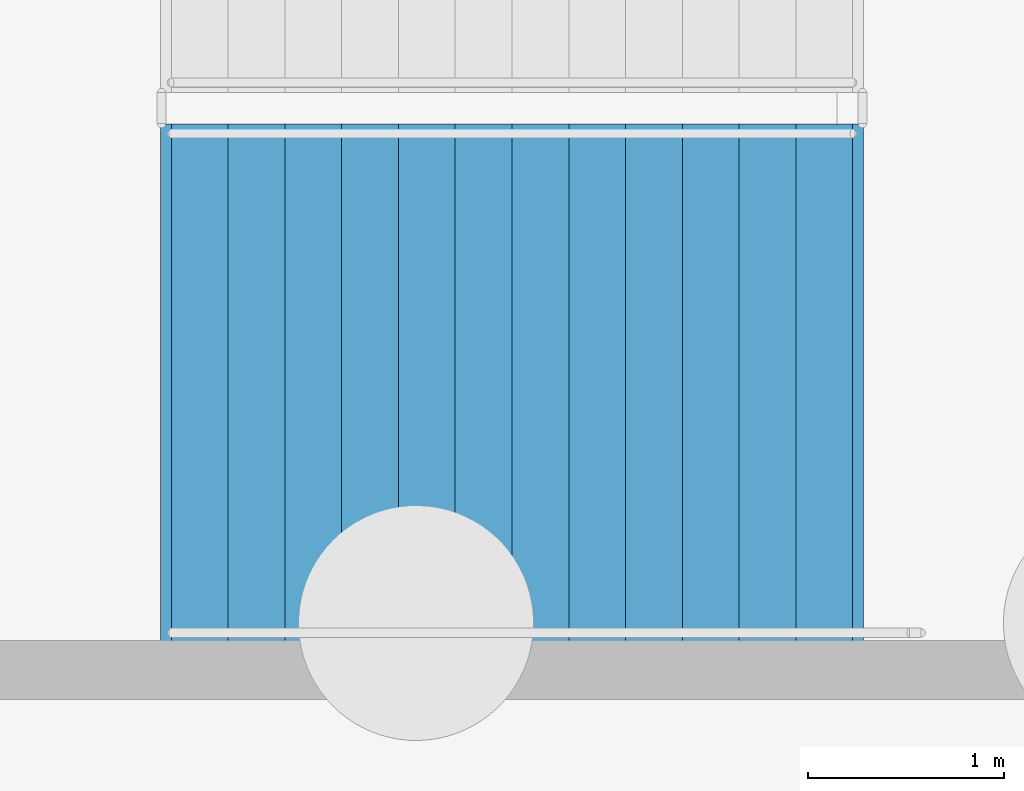
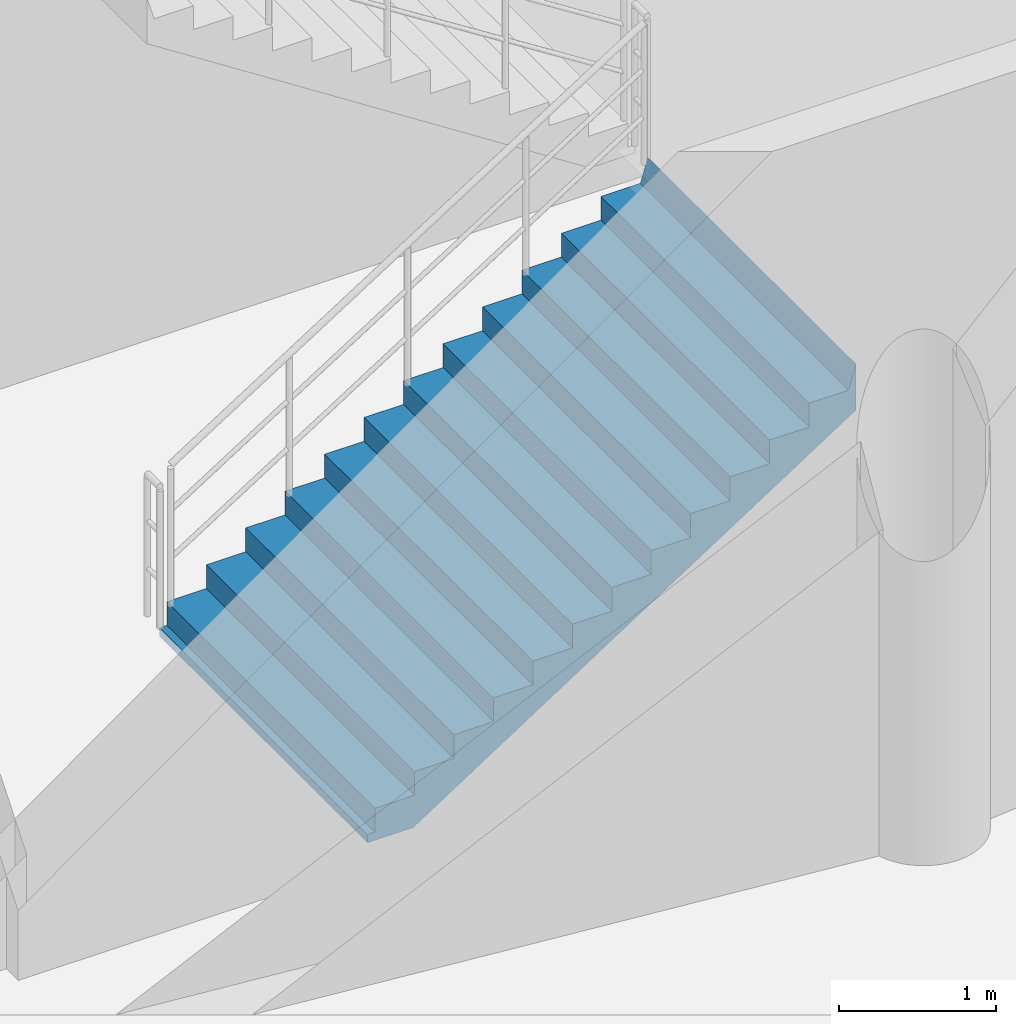
# One storey, part 46 of 68: 1 stair flight, 1 element without a shape of its own.
"""IFC4 building model written with IfcOpenShell, lengths in metres."""

from ifc_helpers import new_model, si_unit, direction, frame, origin, place, context, subcontext, project, spatial, polyline, outline, extrude, material, type_object, element, aggregate, save


model = new_model("IFC4")

# Units and contexts
model_context = context("Model", 3, precision=1e-05, world=origin(), true_north=direction((0.0, 1.0)))
body_context = subcontext(model_context, "Body", "Model", "MODEL_VIEW")
ifc_project = project(units=[si_unit("LENGTHUNIT", "METRE"), si_unit("AREAUNIT", "SQUARE_METRE"), si_unit("VOLUMEUNIT", "CUBIC_METRE"), si_unit("PLANEANGLEUNIT", "RADIAN"), si_unit("MASSUNIT", "GRAM", prefix="KILO")], contexts=[model_context])

# Site, building, storey
site_placement = place(None, origin())
site = spatial("IfcSite", under=ifc_project, at=site_placement, CompositionType="ELEMENT")
building_placement = place(site_placement, origin())
building = spatial("IfcBuilding", under=site, at=building_placement, Name="Cinderbank Siding Concert Hall", CompositionType="ELEMENT")
storey_placement = place(building_placement, frame((0.0, 0.0, -4.800048828125)))
storey = spatial("IfcBuildingStorey", under=building, at=storey_placement, Name="B1", CompositionType="ELEMENT", Elevation=-4.800048828125)

# Stair, stair flight
ifc_material = material(Name="Reinforced concrete AS 3600 N50 (50 MPa)", Category="concrete")
stair_type = type_object("IfcStairType", Name="STR-A Dogleg Exit Stair 2650mm", PredefinedType="HALF_TURN_STAIR", material=ifc_material)
stair_placement = place(storey_placement, origin())
stair = element("IfcStair", 1, at=stair_placement, inside=storey, type_object=stair_type, Name="B1 Fire-isolated Exit Stair ST-02", PredefinedType="HALF_TURN_STAIR")
stair_flight_type = type_object("IfcStairFlightType", Name="SFL-A Concrete Stair Flight 2650mm", PredefinedType="STRAIGHT", material=ifc_material)
stair_flight_placement = place(storey_placement, frame((118.949951171875, 25.02490234375, 0.0), z_axis=(0.0, 0.0, 1.0), x_axis=(1.0, 0.0, 0.0)))
stair_flight = element("IfcStairFlight", 2, at=stair_flight_placement, type_object=stair_flight_type, Name="ST-02 flight 1", NumberOfRisers=13, NumberOfTreads=12, PredefinedType="STRAIGHT", RiserHeight=0.184615385, TreadLength=0.29, context=body_context, shape_type="SweptSolid", body=[
    extrude(outline(polyline([(0.0, 0.0), (0.0, 0.1845703125), (0.2900390625, 0.1845703125), (0.2900390625, 0.369140625), (0.580078125, 0.369140625), (0.580078125, 0.553955078125), (0.8701171875, 0.553955078125), (0.8701171875, 0.738525390625), (1.159912109375, 0.738525390625), (1.159912109375, 0.923095703125), (1.449951171875, 0.923095703125), (1.449951171875, 1.107666015625), (1.739990234375, 1.107666015625), (1.739990234375, 1.292236328125), (2.030029296875, 1.292236328125), (2.030029296875, 1.476806640625), (2.320068359375, 1.476806640625), (2.320068359375, 1.66162109375), (2.610107421875, 1.66162109375), (2.610107421875, 1.84619140625), (2.89990234375, 1.84619140625), (2.89990234375, 2.03076171875), (3.18994140625, 2.03076171875), (3.18994140625, 2.21533203125), (3.47998046875, 2.21533203125), (3.534912109375, 2.39990234375), (3.534912109375, 2.03759765625), (3.53466796875, 2.037841796875), (3.53466796875, 2.0380859375), (3.53466796875, 2.038330078125), (3.53466796875, 2.03857421875), (3.53466796875, 2.038818359375), (3.53466796875, 2.0390625), (3.53466796875, 2.039306640625), (3.53466796875, 2.03955078125), (3.53466796875, 2.039794921875), (3.53466796875, 2.0400390625), (3.53466796875, 2.040283203125), (3.53466796875, 2.04052734375), (3.534423828125, 2.04052734375), (3.534423828125, 2.040283203125), (3.534423828125, 2.0400390625), (3.534423828125, 2.039794921875), (3.534423828125, 2.03955078125), (3.534423828125, 2.039306640625), (3.534423828125, 2.0390625), (3.534423828125, 2.038818359375), (3.534423828125, 2.03857421875), (3.534423828125, 2.038330078125), (3.534423828125, 2.0380859375), (3.534423828125, 2.037841796875), (3.534423828125, 2.03759765625), (3.5341796875, 2.037841796875), (3.5341796875, 2.0380859375), (3.5341796875, 2.038330078125), (3.5341796875, 2.03857421875), (3.5341796875, 2.038818359375), (3.5341796875, 2.0390625), (3.5341796875, 2.039306640625), (3.5341796875, 2.03955078125), (3.5341796875, 2.039794921875), (3.5341796875, 2.0400390625), (3.5341796875, 2.040283203125), (3.5341796875, 2.04052734375), (3.533935546875, 2.04052734375), (3.533935546875, 2.040283203125), (3.533935546875, 2.0400390625), (3.533935546875, 2.039794921875), (3.533935546875, 2.03955078125), (3.533935546875, 2.039306640625), (3.533935546875, 2.0390625), (3.533935546875, 2.038818359375), (3.533935546875, 2.03857421875), (3.533935546875, 2.038330078125), (3.533935546875, 2.0380859375), (3.533935546875, 2.037841796875), (3.533935546875, 2.03759765625), (3.53369140625, 2.037841796875), (3.53369140625, 2.0380859375), (3.53369140625, 2.038330078125), (3.53369140625, 2.03857421875), (3.53369140625, 2.038818359375), (3.53369140625, 2.0390625), (3.53369140625, 2.039306640625), (3.53369140625, 2.03955078125), (3.53369140625, 2.039794921875), (3.53369140625, 2.0400390625), (3.53369140625, 2.040283203125), (3.53369140625, 2.04052734375), (3.533447265625, 2.04052734375), (3.533447265625, 2.040283203125), (3.533447265625, 2.0400390625), (3.533447265625, 2.039794921875), (3.533447265625, 2.03955078125), (3.533447265625, 2.039306640625), (3.533447265625, 2.0390625), (3.533447265625, 2.038818359375), (3.533447265625, 2.03857421875), (3.533447265625, 2.038330078125), (3.533447265625, 2.0380859375), (3.533447265625, 2.037841796875), (3.533447265625, 2.03759765625), (3.533203125, 2.037841796875), (3.533203125, 2.0380859375), (3.533203125, 2.038330078125), (3.533203125, 2.03857421875), (3.533203125, 2.038818359375), (3.533203125, 2.0390625), (3.533203125, 2.039306640625), (3.533203125, 2.03955078125), (3.533203125, 2.039794921875), (3.533203125, 2.0400390625), (3.533203125, 2.040283203125), (3.533203125, 2.04052734375), (3.532958984375, 2.04052734375), (3.532958984375, 2.040283203125), (3.532958984375, 2.0400390625), (3.532958984375, 2.039794921875), (3.532958984375, 2.03955078125), (3.532958984375, 2.039306640625), (3.532958984375, 2.0390625), (3.532958984375, 2.038818359375), (3.532958984375, 2.03857421875), (3.532958984375, 2.038330078125), (3.532958984375, 2.0380859375), (3.532958984375, 2.037841796875), (3.532958984375, 2.03759765625), (3.53271484375, 2.037841796875), (3.53271484375, 2.0380859375), (3.53271484375, 2.038330078125), (3.53271484375, 2.03857421875), (3.53271484375, 2.038818359375), (3.53271484375, 2.0390625), (3.53271484375, 2.039306640625), (3.53271484375, 2.03955078125), (3.53271484375, 2.039794921875), (3.53271484375, 2.0400390625), (3.53271484375, 2.040283203125), (3.53271484375, 2.04052734375), (3.532470703125, 2.04052734375), (3.532470703125, 2.040283203125), (3.532470703125, 2.0400390625), (3.532470703125, 2.039794921875), (3.532470703125, 2.03955078125), (3.532470703125, 2.039306640625), (3.532470703125, 2.0390625), (3.532470703125, 2.038818359375), (3.532470703125, 2.03857421875), (3.532470703125, 2.038330078125), (3.532470703125, 2.0380859375), (3.532470703125, 2.037841796875), (3.532470703125, 2.03759765625), (3.5322265625, 2.037841796875), (3.5322265625, 2.0380859375), (3.5322265625, 2.038330078125), (3.5322265625, 2.03857421875), (3.5322265625, 2.038818359375), (3.5322265625, 2.0390625), (3.5322265625, 2.039306640625), (3.5322265625, 2.03955078125), (3.5322265625, 2.039794921875), (3.5322265625, 2.0400390625), (3.5322265625, 2.040283203125), (3.5322265625, 2.04052734375), (3.531982421875, 2.04052734375), (3.531982421875, 2.040283203125), (3.531982421875, 2.0400390625), (3.531982421875, 2.039794921875), (3.531982421875, 2.03955078125), (3.531982421875, 2.039306640625), (3.531982421875, 2.0390625), (3.531982421875, 2.038818359375), (3.531982421875, 2.03857421875), (3.531982421875, 2.038330078125), (3.531982421875, 2.0380859375), (3.531982421875, 2.037841796875), (3.531982421875, 2.03759765625), (3.53173828125, 2.037841796875), (3.53173828125, 2.0380859375), (3.53173828125, 2.038330078125), (3.53173828125, 2.03857421875), (3.53173828125, 2.038818359375), (3.53173828125, 2.0390625), (3.53173828125, 2.039306640625), (3.53173828125, 2.03955078125), (3.53173828125, 2.039794921875), (3.53173828125, 2.0400390625), (3.53173828125, 2.040283203125), (3.53173828125, 2.04052734375), (3.531494140625, 2.04052734375), (3.531494140625, 2.040283203125), (3.531494140625, 2.0400390625), (3.531494140625, 2.039794921875), (3.531494140625, 2.03955078125), (3.531494140625, 2.039306640625), (3.531494140625, 2.0390625), (3.531494140625, 2.038818359375), (3.531494140625, 2.03857421875), (3.531494140625, 2.038330078125), (3.531494140625, 2.0380859375), (3.531494140625, 2.037841796875), (3.531494140625, 2.03759765625), (3.53125, 2.037841796875), (3.53125, 2.0380859375), (3.53125, 2.038330078125), (3.53125, 2.03857421875), (3.53125, 2.038818359375), (3.53125, 2.0390625), (3.53125, 2.039306640625), (3.53125, 2.03955078125), (3.53125, 2.039794921875), (3.53125, 2.0400390625), (3.53125, 2.040283203125), (3.53125, 2.04052734375), (3.531005859375, 2.04052734375), (3.531005859375, 2.040283203125), (3.531005859375, 2.0400390625), (3.531005859375, 2.039794921875), (3.531005859375, 2.03955078125), (3.531005859375, 2.039306640625), (3.531005859375, 2.0390625), (3.531005859375, 2.038818359375), (3.531005859375, 2.03857421875), (3.531005859375, 2.038330078125), (3.531005859375, 2.0380859375), (3.531005859375, 2.037841796875), (3.531005859375, 2.03759765625), (3.53076171875, 2.037841796875), (3.53076171875, 2.0380859375), (3.53076171875, 2.038330078125), (3.53076171875, 2.03857421875), (3.53076171875, 2.038818359375), (3.53076171875, 2.0390625), (3.53076171875, 2.039306640625), (3.53076171875, 2.03955078125), (3.53076171875, 2.039794921875), (3.53076171875, 2.0400390625), (3.53076171875, 2.040283203125), (3.53076171875, 2.04052734375), (3.530517578125, 2.04052734375), (3.530517578125, 2.040283203125), (3.530517578125, 2.0400390625), (3.530517578125, 2.039794921875), (3.530517578125, 2.03955078125), (3.530517578125, 2.039306640625), (3.530517578125, 2.0390625), (3.530517578125, 2.038818359375), (3.530517578125, 2.03857421875), (3.530517578125, 2.038330078125), (3.530517578125, 2.0380859375), (3.530517578125, 2.037841796875), (3.530517578125, 2.03759765625), (3.5302734375, 2.037841796875), (3.5302734375, 2.0380859375), (3.5302734375, 2.038330078125), (3.5302734375, 2.03857421875), (3.5302734375, 2.038818359375), (3.5302734375, 2.0390625), (3.5302734375, 2.039306640625), (3.5302734375, 2.03955078125), (3.5302734375, 2.039794921875), (3.5302734375, 2.0400390625), (3.5302734375, 2.040283203125), (3.5302734375, 2.04052734375), (3.530029296875, 2.04052734375), (3.530029296875, 2.040283203125), (3.530029296875, 2.0400390625), (3.530029296875, 2.039794921875), (3.530029296875, 2.03955078125), (3.530029296875, 2.039306640625), (3.530029296875, 2.0390625), (3.530029296875, 2.038818359375), (3.530029296875, 2.03857421875), (3.530029296875, 2.038330078125), (3.530029296875, 2.0380859375), (3.530029296875, 2.037841796875), (3.530029296875, 2.03759765625), (3.52978515625, 2.037841796875), (3.52978515625, 2.0380859375), (3.52978515625, 2.038330078125), (3.52978515625, 2.03857421875), (3.52978515625, 2.038818359375), (3.52978515625, 2.0390625), (3.52978515625, 2.039306640625), (3.52978515625, 2.03955078125), (3.52978515625, 2.039794921875), (3.52978515625, 2.0400390625), (3.52978515625, 2.040283203125), (3.52978515625, 2.04052734375), (3.529541015625, 2.04052734375), (3.529541015625, 2.040283203125), (3.529541015625, 2.0400390625), (3.529541015625, 2.039794921875), (3.529541015625, 2.03955078125), (3.529541015625, 2.039306640625), (3.529541015625, 2.0390625), (3.529541015625, 2.038818359375), (3.529541015625, 2.03857421875), (3.529541015625, 2.038330078125), (3.529541015625, 2.0380859375), (3.529541015625, 2.037841796875), (3.529541015625, 2.03759765625), (3.529296875, 2.037841796875), (3.529296875, 2.0380859375), (3.529296875, 2.038330078125), (3.529296875, 2.03857421875), (3.529296875, 2.038818359375), (3.529296875, 2.0390625), (3.529296875, 2.039306640625), (3.529296875, 2.03955078125), (3.529296875, 2.039794921875), (3.529296875, 2.0400390625), (3.529296875, 2.040283203125), (3.529296875, 2.04052734375), (3.529052734375, 2.04052734375), (3.529052734375, 2.040283203125), (3.529052734375, 2.0400390625), (3.529052734375, 2.039794921875), (3.529052734375, 2.03955078125), (3.529052734375, 2.039306640625), (3.529052734375, 2.0390625), (3.529052734375, 2.038818359375), (3.529052734375, 2.03857421875), (3.529052734375, 2.038330078125), (3.529052734375, 2.0380859375), (3.529052734375, 2.037841796875), (3.529052734375, 2.03759765625), (3.52880859375, 2.037841796875), (3.52880859375, 2.0380859375), (3.52880859375, 2.038330078125), (3.52880859375, 2.03857421875), (3.52880859375, 2.038818359375), (3.52880859375, 2.0390625), (3.52880859375, 2.039306640625), (3.52880859375, 2.03955078125), (3.52880859375, 2.039794921875), (3.52880859375, 2.0400390625), (3.52880859375, 2.040283203125), (3.52880859375, 2.04052734375), (3.528564453125, 2.04052734375), (3.528564453125, 2.040283203125), (3.528564453125, 2.0400390625), (3.528564453125, 2.039794921875), (3.528564453125, 2.03955078125), (3.528564453125, 2.039306640625), (3.528564453125, 2.0390625), (3.528564453125, 2.038818359375), (3.528564453125, 2.03857421875), (3.528564453125, 2.038330078125), (3.528564453125, 2.0380859375), (3.528564453125, 2.037841796875), (3.528564453125, 2.03759765625), (0.279052734375, -0.06396484375), (-0.048583984375, -0.063720703125), (-0.048583984375, -0.0634765625), (-0.048583984375, -0.063232421875), (-0.048583984375, -0.06298828125), (-0.048583984375, -0.062744140625), (-0.048583984375, -0.0625), (-0.048583984375, -0.062255859375), (-0.048583984375, -0.06201171875), (-0.048583984375, -0.061767578125), (-0.048583984375, -0.0615234375), (-0.048583984375, -0.061279296875), (-0.048583984375, -0.06103515625), (-0.048828125, -0.06103515625), (-0.048828125, -0.061279296875), (-0.048828125, -0.0615234375), (-0.048828125, -0.061767578125), (-0.048828125, -0.06201171875), (-0.048828125, -0.062255859375), (-0.048828125, -0.0625), (-0.048828125, -0.062744140625), (-0.048828125, -0.06298828125), (-0.048828125, -0.063232421875), (-0.048828125, -0.0634765625), (-0.048828125, -0.063720703125), (-0.048828125, -0.06396484375), (-0.049072265625, -0.063720703125), (-0.049072265625, -0.0634765625), (-0.049072265625, -0.063232421875), (-0.049072265625, -0.06298828125), (-0.049072265625, -0.062744140625), (-0.049072265625, -0.0625), (-0.049072265625, -0.062255859375), (-0.049072265625, -0.06201171875), (-0.049072265625, -0.061767578125), (-0.049072265625, -0.0615234375), (-0.049072265625, -0.061279296875), (-0.049072265625, -0.06103515625), (-0.04931640625, -0.06103515625), (-0.04931640625, -0.061279296875), (-0.04931640625, -0.0615234375), (-0.04931640625, -0.061767578125), (-0.04931640625, -0.06201171875), (-0.04931640625, -0.062255859375), (-0.04931640625, -0.0625), (-0.04931640625, -0.062744140625), (-0.04931640625, -0.06298828125), (-0.04931640625, -0.063232421875), (-0.04931640625, -0.0634765625), (-0.04931640625, -0.063720703125), (-0.04931640625, -0.06396484375), (-0.049560546875, -0.063720703125), (-0.049560546875, -0.0634765625), (-0.049560546875, -0.063232421875), (-0.049560546875, -0.06298828125), (-0.049560546875, -0.062744140625), (-0.049560546875, -0.0625), (-0.049560546875, -0.062255859375), (-0.049560546875, -0.06201171875), (-0.049560546875, -0.061767578125), (-0.049560546875, -0.0615234375), (-0.049560546875, -0.061279296875), (-0.049560546875, -0.06103515625), (-0.0498046875, -0.06103515625), (-0.0498046875, -0.061279296875), (-0.0498046875, -0.0615234375), (-0.0498046875, -0.061767578125), (-0.0498046875, -0.06201171875), (-0.0498046875, -0.062255859375), (-0.0498046875, -0.0625), (-0.0498046875, -0.062744140625), (-0.0498046875, -0.06298828125), (-0.0498046875, -0.063232421875), (-0.0498046875, -0.0634765625), (-0.0498046875, -0.063720703125), (-0.0498046875, -0.06396484375), (-0.050048828125, -0.063720703125), (-0.050048828125, -0.0634765625), (-0.050048828125, -0.063232421875), (-0.050048828125, -0.06298828125), (-0.050048828125, -0.062744140625), (-0.050048828125, -0.0625), (-0.050048828125, -0.062255859375), (-0.050048828125, -0.06201171875), (-0.050048828125, -0.061767578125), (-0.050048828125, -0.0615234375), (-0.050048828125, -0.061279296875), (-0.050048828125, -0.06103515625), (-0.05029296875, -0.06103515625), (-0.05029296875, -0.061279296875), (-0.05029296875, -0.0615234375), (-0.05029296875, -0.061767578125), (-0.05029296875, -0.06201171875), (-0.05029296875, -0.062255859375), (-0.05029296875, -0.0625), (-0.05029296875, -0.062744140625), (-0.05029296875, -0.06298828125), (-0.05029296875, -0.063232421875), (-0.05029296875, -0.0634765625), (-0.05029296875, -0.063720703125), (-0.05029296875, -0.06396484375), (-0.050537109375, -0.063720703125), (-0.050537109375, -0.0634765625), (-0.050537109375, -0.063232421875), (-0.050537109375, -0.06298828125), (-0.050537109375, -0.062744140625), (-0.050537109375, -0.0625), (-0.050537109375, -0.062255859375), (-0.050537109375, -0.06201171875), (-0.050537109375, -0.061767578125), (-0.050537109375, -0.0615234375), (-0.050537109375, -0.061279296875), (-0.050537109375, -0.06103515625), (-0.05078125, -0.06103515625), (-0.05078125, -0.061279296875), (-0.05078125, -0.0615234375), (-0.05078125, -0.061767578125), (-0.05078125, -0.06201171875), (-0.05078125, -0.062255859375), (-0.05078125, -0.0625), (-0.05078125, -0.062744140625), (-0.05078125, -0.06298828125), (-0.05078125, -0.063232421875), (-0.05078125, -0.0634765625), (-0.05078125, -0.063720703125), (-0.05078125, -0.06396484375), (-0.051025390625, -0.063720703125), (-0.051025390625, -0.0634765625), (-0.051025390625, -0.063232421875), (-0.051025390625, -0.06298828125), (-0.051025390625, -0.062744140625), (-0.051025390625, -0.0625), (-0.051025390625, -0.062255859375), (-0.051025390625, -0.06201171875), (-0.051025390625, -0.061767578125), (-0.051025390625, -0.0615234375), (-0.051025390625, -0.061279296875), (-0.051025390625, -0.06103515625), (-0.05126953125, -0.06103515625), (-0.05126953125, -0.061279296875), (-0.05126953125, -0.0615234375), (-0.05126953125, -0.061767578125), (-0.05126953125, -0.06201171875), (-0.05126953125, -0.062255859375), (-0.05126953125, -0.0625), (-0.05126953125, -0.062744140625), (-0.05126953125, -0.06298828125), (-0.05126953125, -0.063232421875), (-0.05126953125, -0.0634765625), (-0.05126953125, -0.063720703125), (-0.05126953125, -0.06396484375), (-0.051513671875, -0.063720703125), (-0.051513671875, -0.0634765625), (-0.051513671875, -0.063232421875), (-0.051513671875, -0.06298828125), (-0.051513671875, -0.062744140625), (-0.051513671875, -0.0625), (-0.051513671875, -0.062255859375), (-0.051513671875, -0.06201171875), (-0.051513671875, -0.061767578125), (-0.051513671875, -0.0615234375), (-0.051513671875, -0.061279296875), (-0.051513671875, -0.06103515625), (-0.0517578125, -0.06103515625), (-0.0517578125, -0.061279296875), (-0.0517578125, -0.0615234375), (-0.0517578125, -0.061767578125), (-0.0517578125, -0.06201171875), (-0.0517578125, -0.062255859375), (-0.0517578125, -0.0625), (-0.0517578125, -0.062744140625), (-0.0517578125, -0.06298828125), (-0.0517578125, -0.063232421875), (-0.0517578125, -0.0634765625), (-0.0517578125, -0.063720703125), (-0.0517578125, -0.06396484375), (-0.052001953125, -0.063720703125), (-0.052001953125, -0.0634765625), (-0.052001953125, -0.063232421875), (-0.052001953125, -0.06298828125), (-0.052001953125, -0.062744140625), (-0.052001953125, -0.0625), (-0.052001953125, -0.062255859375), (-0.052001953125, -0.06201171875), (-0.052001953125, -0.061767578125), (-0.052001953125, -0.0615234375), (-0.052001953125, -0.061279296875), (-0.052001953125, -0.06103515625), (-0.05224609375, -0.06103515625), (-0.05224609375, -0.061279296875), (-0.05224609375, -0.0615234375), (-0.05224609375, -0.061767578125), (-0.05224609375, -0.06201171875), (-0.05224609375, -0.062255859375), (-0.05224609375, -0.0625), (-0.05224609375, -0.062744140625), (-0.05224609375, -0.06298828125), (-0.05224609375, -0.063232421875), (-0.05224609375, -0.0634765625), (-0.05224609375, -0.063720703125), (-0.05224609375, -0.06396484375), (-0.052490234375, -0.063720703125), (-0.052490234375, -0.0634765625), (-0.052490234375, -0.063232421875), (-0.052490234375, -0.06298828125), (-0.052490234375, -0.062744140625), (-0.052490234375, -0.0625), (-0.052490234375, -0.062255859375), (-0.052490234375, -0.06201171875), (-0.052490234375, -0.061767578125), (-0.052490234375, -0.0615234375), (-0.052490234375, -0.061279296875), (-0.052490234375, -0.06103515625), (-0.052734375, -0.06103515625), (-0.052734375, -0.061279296875), (-0.052734375, -0.0615234375), (-0.052734375, -0.061767578125), (-0.052734375, -0.06201171875), (-0.052734375, -0.062255859375), (-0.052734375, -0.0625), (-0.052734375, -0.062744140625), (-0.052734375, -0.06298828125), (-0.052734375, -0.063232421875), (-0.052734375, -0.0634765625), (-0.052734375, -0.063720703125), (-0.052734375, -0.06396484375), (-0.052978515625, -0.063720703125), (-0.052978515625, -0.0634765625), (-0.052978515625, -0.063232421875), (-0.052978515625, -0.06298828125), (-0.052978515625, -0.062744140625), (-0.052978515625, -0.0625), (-0.052978515625, -0.062255859375), (-0.052978515625, -0.06201171875), (-0.052978515625, -0.061767578125), (-0.052978515625, -0.0615234375), (-0.052978515625, -0.061279296875), (-0.052978515625, -0.06103515625), (-0.05322265625, -0.06103515625), (-0.05322265625, -0.061279296875), (-0.05322265625, -0.0615234375), (-0.05322265625, -0.061767578125), (-0.05322265625, -0.06201171875), (-0.05322265625, -0.062255859375), (-0.05322265625, -0.0625), (-0.05322265625, -0.062744140625), (-0.05322265625, -0.06298828125), (-0.05322265625, -0.063232421875), (-0.05322265625, -0.0634765625), (-0.05322265625, -0.063720703125), (-0.05322265625, -0.06396484375), (-0.053466796875, -0.063720703125), (-0.053466796875, -0.0634765625), (-0.053466796875, -0.063232421875), (-0.053466796875, -0.06298828125), (-0.053466796875, -0.062744140625), (-0.053466796875, -0.0625), (-0.053466796875, -0.062255859375), (-0.053466796875, -0.06201171875), (-0.053466796875, -0.061767578125), (-0.053466796875, -0.0615234375), (-0.053466796875, -0.061279296875), (-0.053466796875, -0.06103515625), (-0.0537109375, -0.06103515625), (-0.0537109375, -0.061279296875), (-0.0537109375, -0.0615234375), (-0.0537109375, -0.061767578125), (-0.0537109375, -0.06201171875), (-0.0537109375, -0.062255859375), (-0.0537109375, -0.0625), (-0.0537109375, -0.062744140625), (-0.0537109375, -0.06298828125), (-0.0537109375, -0.063232421875), (-0.0537109375, -0.0634765625), (-0.0537109375, -0.063720703125), (-0.0537109375, -0.06396484375), (-0.053955078125, -0.063720703125), (-0.053955078125, -0.0634765625), (-0.053955078125, -0.063232421875), (-0.053955078125, -0.06298828125), (-0.053955078125, -0.062744140625), (-0.053955078125, -0.0625), (-0.053955078125, -0.062255859375), (-0.053955078125, -0.06201171875), (-0.053955078125, -0.061767578125), (-0.053955078125, -0.0615234375), (-0.053955078125, -0.061279296875), (-0.053955078125, -0.06103515625), (-0.05419921875, -0.06103515625), (-0.05419921875, -0.061279296875), (-0.05419921875, -0.0615234375), (-0.05419921875, -0.061767578125), (-0.05419921875, -0.06201171875), (-0.05419921875, -0.062255859375), (-0.05419921875, -0.0625), (-0.05419921875, -0.062744140625), (-0.05419921875, -0.06298828125), (-0.05419921875, -0.063232421875), (-0.05419921875, -0.0634765625), (-0.05419921875, -0.063720703125), (-0.05419921875, -0.06396484375), (-0.054443359375, -0.063720703125), (-0.054443359375, -0.0634765625), (-0.054443359375, -0.063232421875), (-0.054443359375, -0.06298828125), (-0.054443359375, -0.062744140625), (-0.054443359375, -0.0625), (-0.054443359375, -0.062255859375), (-0.054443359375, -0.06201171875), (-0.054443359375, -0.061767578125), (-0.054443359375, -0.0615234375), (-0.054443359375, -0.061279296875), (-0.054443359375, -0.06103515625), (-0.0546875, -0.06103515625), (-0.0546875, -0.061279296875), (-0.0546875, -0.0615234375), (-0.0546875, -0.061767578125), (-0.0546875, -0.06201171875), (-0.0546875, -0.062255859375), (-0.0546875, -0.0625), (-0.0546875, -0.062744140625), (-0.0546875, -0.06298828125), (-0.0546875, -0.063232421875), (-0.0546875, -0.0634765625), (-0.0546875, -0.063720703125), (-0.0546875, -0.06396484375), (-0.054931640625, -0.06396484375), (-0.054931640625, 0.0), (0.0, 0.0)])), frame((0.0, 1.324951171875, 0.0), z_axis=(0.0, -1.0, 0.0), x_axis=(1.0, 0.0, 0.0)), (0.0, 0.0, 1.0), 2.64990234375),
])
aggregate(stair, [stair_flight])

save(model, "model.ifc")
